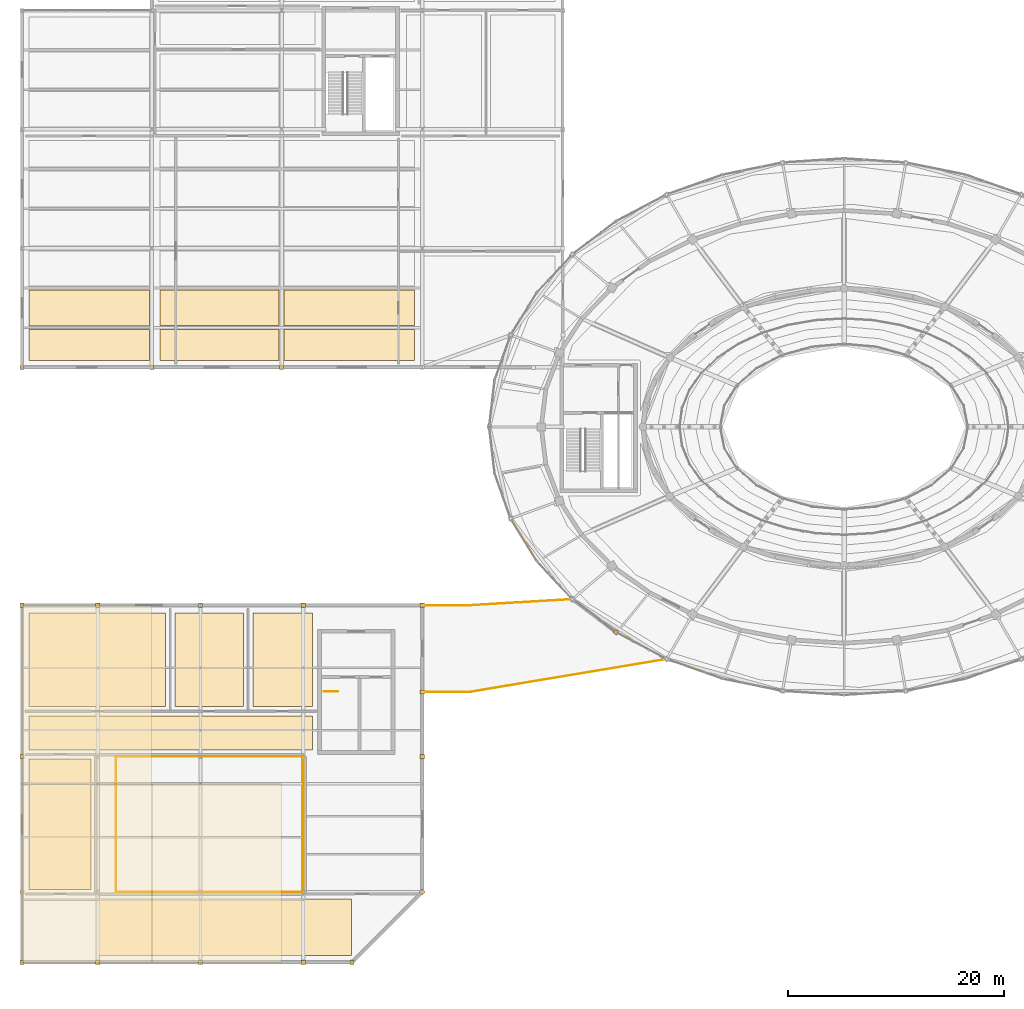
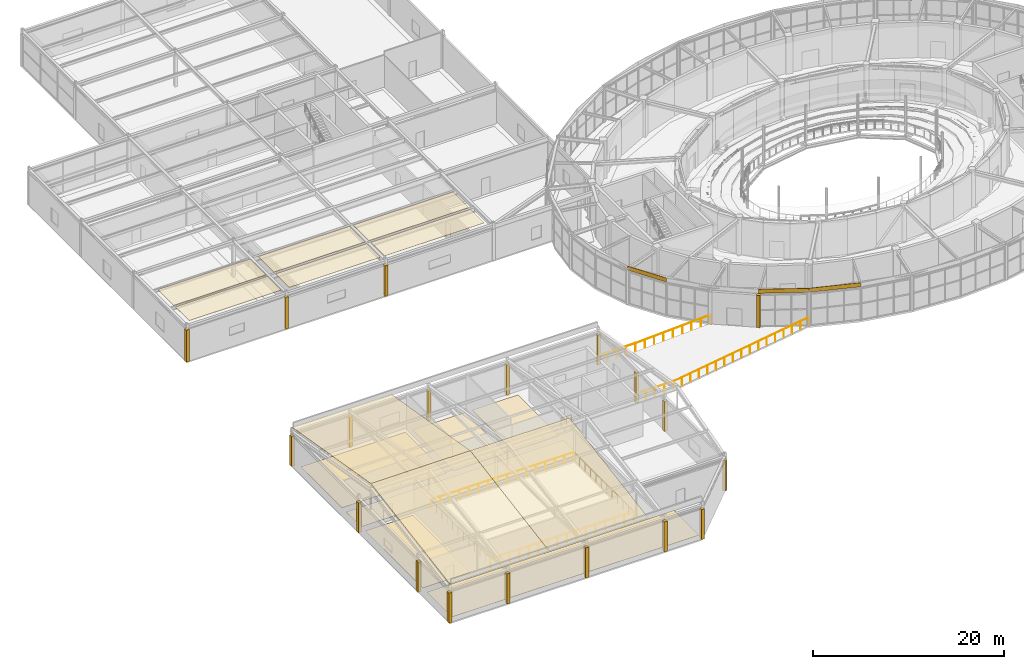
# One storey, part 98 of 108: 37 coverings, 9 railings.
"""IFC4 building model written with IfcOpenShell, lengths in metres."""

from ifc_helpers import new_model, si_unit, direction, frame, frame_2d, origin, origin_2d, place, context, subcontext, project, spatial, polyline, rectangle, circle, outline, extrude, material, layer, layer_set, type_object, element, save


model = new_model("IFC4")

# Units and contexts
model_context = context("Model", 3, precision=1e-05, world=origin(), true_north=direction((0.0, 1.0)))
body_context = subcontext(model_context, "Body", "Model", "MODEL_VIEW")
ifc_project = project(units=[si_unit("LENGTHUNIT", "METRE"), si_unit("AREAUNIT", "SQUARE_METRE"), si_unit("VOLUMEUNIT", "CUBIC_METRE"), si_unit("PLANEANGLEUNIT", "RADIAN"), si_unit("MASSUNIT", "GRAM", prefix="KILO")], contexts=[model_context])

# Site, building, storey
site_placement = place(None, origin())
site = spatial("IfcSite", under=ifc_project, at=site_placement, CompositionType="ELEMENT")
building_placement = place(site_placement, origin())
building = spatial("IfcBuilding", under=site, at=building_placement, Name="Tarnveldt Headland Concert Hall", CompositionType="ELEMENT")
storey_placement = place(building_placement, frame((0.0, 0.0, 9.60009765625)))
storey = spatial("IfcBuildingStorey", under=building, at=storey_placement, Name="L02", CompositionType="ELEMENT", Elevation=9.60009765625)

# Coverings
ifc_material_1 = material(Name="Micro-perforated mvule acoustic ceiling panel", Category="timber")
ifc_layer_1 = layer(ifc_material_1, 0.050048828125, Name="Micro-perforated mvule acoustic ceiling panel", Category="timber")
ifc_layer_set_1 = layer_set([ifc_layer_1], Name="Micro-perforated mvule acoustic ceiling panel")
covering_type_1 = type_object("IfcCoveringType", Name="CV-CEIL50", PredefinedType="CEILING", material=ifc_layer_set_1)
covering_1_placement = place(storey_placement, frame((0.0, 0.0, 4.5)))
element("IfcCovering", 1, at=covering_1_placement, inside=storey, type_object=covering_type_1, Name="Acoustic mvule ceiling L02-20-259", PredefinedType="CEILING", context=body_context, shape_type="SweptSolid", body=[
    extrude(outline(polyline([(31.27001953125, 63.85693359375), (20.22998046875, 63.85693359375), (20.22998046875, 67.14306640625), (31.27001953125, 67.14306640625), (31.27001953125, 63.85693359375)])), origin(), (0.0, 0.0, 1.0), 0.0498046875),
])
covering_2_placement = place(storey_placement, frame((0.0, 0.0, 4.5)))
element("IfcCovering", 2, at=covering_2_placement, inside=storey, type_object=covering_type_1, Name="Acoustic mvule ceiling L02-20-260", PredefinedType="CEILING", context=body_context, shape_type="SweptSolid", body=[
    extrude(outline(polyline([(43.77001953125, 63.85693359375), (31.72998046875, 63.85693359375), (31.72998046875, 67.14306640625), (43.77001953125, 67.14306640625), (43.77001953125, 63.85693359375)])), origin(), (0.0, 0.0, 1.0), 0.0498046875),
])
covering_3_placement = place(storey_placement, frame((0.0, 0.0, 4.5)))
element("IfcCovering", 3, at=covering_3_placement, inside=storey, type_object=covering_type_1, Name="Acoustic mvule ceiling L02-20-261", PredefinedType="CEILING", context=body_context, shape_type="SweptSolid", body=[
    extrude(outline(polyline([(31.72998046875, 60.6298828125), (31.72998046875, 63.47705078125), (43.77001953125, 63.47705078125), (43.77001953125, 60.6298828125), (31.72998046875, 60.6298828125)])), origin(), (0.0, 0.0, 1.0), 0.0498046875),
])
covering_4_placement = place(storey_placement, frame((0.0, 0.0, 4.5)))
element("IfcCovering", 4, at=covering_4_placement, inside=storey, type_object=covering_type_1, Name="Acoustic mvule ceiling L02-20-262", PredefinedType="CEILING", context=body_context, shape_type="SweptSolid", body=[
    extrude(outline(polyline([(20.22998046875, 63.47705078125), (31.27001953125, 63.47705078125), (31.27001953125, 60.6298828125), (20.22998046875, 60.6298828125), (20.22998046875, 63.47705078125)])), origin(), (0.0, 0.0, 1.0), 0.0498046875),
])
ifc_layer_2 = layer(ifc_material_1, 0.06494140625, Name="Micro-perforated mvule acoustic ceiling panel", Category="timber")
ifc_layer_set_2 = layer_set([ifc_layer_2], Name="Micro-perforated mvule acoustic ceiling panel")
covering_type_2 = type_object("IfcCoveringType", Name="CV-CEIL65", PredefinedType="CEILING", material=ifc_layer_set_2)
covering_5_placement = place(storey_placement, frame((0.0, 0.0, 4.48486328125)))
element("IfcCovering", 5, at=covering_5_placement, inside=storey, type_object=covering_type_2, Name="Acoustic mvule ceiling L02-21-272", PredefinedType="CEILING", context=body_context, shape_type="SweptSolid", body=[
    extrude(outline(polyline([(8.1298828125, 60.6298828125), (8.1298828125, 63.501953125), (19.27001953125, 63.501953125), (19.27001953125, 60.6298828125), (8.1298828125, 60.6298828125)])), origin(), (0.0, 0.0, 1.0), 0.06494140625),
])
covering_6_placement = place(storey_placement, frame((0.0, 0.0, 4.48486328125)))
element("IfcCovering", 6, at=covering_6_placement, inside=storey, type_object=covering_type_2, Name="Acoustic mvule ceiling L02-21-273", PredefinedType="CEILING", context=body_context, shape_type="SweptSolid", body=[
    extrude(outline(polyline([(19.27001953125, 67.16796875), (19.27001953125, 63.83203125), (8.1298828125, 63.83203125), (8.1298828125, 67.16796875), (19.27001953125, 67.16796875)])), origin(), (0.0, 0.0, 1.0), 0.06494140625),
])
ifc_material_2 = material(Name="Treated East African mvule hardwood", Category="wood")
ifc_layer_3 = layer(ifc_material_2, 0.044921875, Name="Treated East African mvule hardwood", Category="wood")
ifc_layer_set_3 = layer_set([ifc_layer_3], Name="Treated East African mvule hardwood")
covering_type_3 = type_object("IfcCoveringType", Name="CV-CLAD45", PredefinedType="CLADDING", material=ifc_layer_set_3)
covering_7_placement = place(storey_placement, frame((52.677978515625, 46.017822265625, 4.27001953125), z_axis=(0.0, 0.0, 1.0), x_axis=(0.524979001727, -0.851115178895, 0.0)))
element("IfcCovering", 7, at=covering_7_placement, inside=storey, type_object=covering_type_3, Name="Mvule hardwood fascia band L02-21", PredefinedType="CLADDING", context=body_context, shape_type="SweptSolid", body=[
    extrude(rectangle(XDim=4.60302734375, YDim=0.044921875, at=frame_2d((2.301513671875, 0.0))), origin(), (0.0, 0.0, 1.0), 0.519775390625),
])
covering_8_placement = place(storey_placement, frame((62.41650390625, 35.502197265625, 4.27001953125), z_axis=(0.0, 0.0, 1.0), x_axis=(0.88379239872, -0.467879253617, 0.0)))
element("IfcCovering", 8, at=covering_8_placement, inside=storey, type_object=covering_type_3, Name="Mvule hardwood fascia band L02-24", PredefinedType="CLADDING", context=body_context, shape_type="SweptSolid", body=[
    extrude(rectangle(XDim=5.29931640625, YDim=0.044921875, at=frame_2d((2.649658203125, 0.0))), origin(), (0.0, 0.0, 1.0), 0.519775390625),
])
covering_9_placement = place(storey_placement, frame((67.10009765625, 33.022705078125, 4.27001953125), z_axis=(0.0, 0.0, 1.0), x_axis=(0.943085453999, -0.332550487077, 0.0)))
element("IfcCovering", 9, at=covering_9_placement, inside=storey, type_object=covering_type_3, Name="Mvule hardwood fascia band L02-25", PredefinedType="CLADDING", context=body_context, shape_type="SweptSolid", body=[
    extrude(rectangle(XDim=5.494384765625, YDim=0.044921875, at=frame_2d((2.7470703125, 0.0))), origin(), (0.0, 0.0, 1.0), 0.519775390625),
])
ifc_material_3 = material(Name="Polished coral-aggregate cementitious terrazzo flooring", Category="concrete")
ifc_layer_4 = layer(ifc_material_3, 0.034912109375, Name="Polished coral-aggregate cementitious terrazzo flooring", Category="concrete")
ifc_layer_set_4 = layer_set([ifc_layer_4], Name="Polished coral-aggregate cementitious terrazzo flooring")
covering_type_4 = type_object("IfcCoveringType", Name="CV-FLOR35", PredefinedType="FLOORING", material=ifc_layer_set_4)
covering_10_placement = place(storey_placement, origin())
element("IfcCovering", 10, at=covering_10_placement, inside=storey, type_object=covering_type_4, Name="Architectural flooring L02-13-72", PredefinedType="FLOORING", context=body_context, shape_type="SweptSolid", body=[
    extrude(outline(polyline([(8.1298828125, 10.8701171875), (37.969970703125, 10.8701171875), (37.969970703125, 5.6298828125), (8.1298828125, 5.6298828125), (8.1298828125, 10.8701171875)])), origin(), (0.0, 0.0, 1.0), 0.034912109375),
])
covering_11_placement = place(storey_placement, origin())
element("IfcCovering", 11, at=covering_11_placement, inside=storey, type_object=covering_type_4, Name="Architectural flooring L02-14-73", PredefinedType="FLOORING", context=body_context, shape_type="SweptSolid", body=[
    extrude(outline(polyline([(8.1298828125, 23.77001953125), (13.8701171875, 23.77001953125), (13.8701171875, 11.72998046875), (8.1298828125, 11.72998046875), (8.1298828125, 23.77001953125)])), origin(), (0.0, 0.0, 1.0), 0.034912109375),
])
covering_12_placement = place(storey_placement, origin())
element("IfcCovering", 12, at=covering_12_placement, inside=storey, type_object=covering_type_4, Name="Architectural flooring L02-16-74", PredefinedType="FLOORING", context=body_context, shape_type="SweptSolid", body=[
    extrude(outline(polyline([(8.1298828125, 27.77001953125), (34.3701171875, 27.77001953125), (34.3701171875, 24.6298828125), (8.1298828125, 24.6298828125), (8.1298828125, 27.77001953125)])), origin(), (0.0, 0.0, 1.0), 0.034912109375),
])
covering_13_placement = place(storey_placement, origin())
element("IfcCovering", 13, at=covering_13_placement, inside=storey, type_object=covering_type_4, Name="Architectural flooring L02-17-75", PredefinedType="FLOORING", context=body_context, shape_type="SweptSolid", body=[
    extrude(outline(polyline([(8.1298828125, 37.27001953125), (20.77001953125, 37.27001953125), (20.77001953125, 28.6298828125), (8.1298828125, 28.6298828125), (8.1298828125, 37.27001953125)])), origin(), (0.0, 0.0, 1.0), 0.034912109375),
])
covering_14_placement = place(storey_placement, origin())
element("IfcCovering", 14, at=covering_14_placement, inside=storey, type_object=covering_type_4, Name="Architectural flooring L02-18-76", PredefinedType="FLOORING", context=body_context, shape_type="SweptSolid", body=[
    extrude(outline(polyline([(21.6298828125, 37.27001953125), (27.969970703125, 37.27001953125), (27.969970703125, 28.6298828125), (21.6298828125, 28.6298828125), (21.6298828125, 37.27001953125)])), origin(), (0.0, 0.0, 1.0), 0.034912109375),
])
covering_15_placement = place(storey_placement, origin())
element("IfcCovering", 15, at=covering_15_placement, inside=storey, type_object=covering_type_4, Name="Architectural flooring L02-19-77", PredefinedType="FLOORING", context=body_context, shape_type="SweptSolid", body=[
    extrude(outline(polyline([(28.830078125, 37.27001953125), (34.3701171875, 37.27001953125), (34.3701171875, 28.6298828125), (28.830078125, 28.6298828125), (28.830078125, 37.27001953125)])), origin(), (0.0, 0.0, 1.0), 0.034912109375),
])
ifc_material_4 = material(Name="Coral-toned precast concrete C40/50", Category="concrete")
ifc_layer_5 = layer(ifc_material_4, 0.360107421875, Name="Coral-toned precast concrete C40/50", Category="concrete")
ifc_layer_set_5 = layer_set([ifc_layer_5], Name="Coral-toned precast concrete C40/50")
covering_type_5 = type_object("IfcCoveringType", Name="CV-JNT360", PredefinedType="CLADDING", material=ifc_layer_set_5)
for number, where, z_axis, x_axis, name in (
    (16, (7.5, 5.0, 0.0), (0.0, 0.0, 1.0), (-1.0, 0.0, 0.0), "Precast facade joint closure pilaster L02-247"),
    (17, (7.5, 11.5, 0.0), (0.0, 0.0, 1.0), (0.0, 1.0, 0.0), "Precast facade joint closure pilaster L02-248"),
    (18, (7.5, 24.0, 0.0), (0.0, 0.0, 1.0), (0.0, 1.0, 0.0), "Precast facade joint closure pilaster L02-249"),
    (19, (7.5, 38.0, 0.0), (0.0, 0.0, 1.0), (1.0, 0.0, 0.0), "Precast facade joint closure pilaster L02-250"),
):
    element("IfcCovering", number, at=place(storey_placement, frame(where, z_axis=z_axis, x_axis=x_axis)), inside=storey, type_object=covering_type_5, Name=name, PredefinedType="CLADDING", context=body_context, shape_type="SweptSolid", body=[
        extrude(rectangle(XDim=0.3798828125, YDim=0.3798828125, at=origin_2d()), origin(), (0.0, 0.0, 1.0), 3.847900390625),
    ])
covering_16_placement = place(storey_placement, frame((7.5, 60.0, 0.0), z_axis=(0.0, 0.0, 1.0), x_axis=(-1.0, 0.0, 0.0)))
element("IfcCovering", 20, at=covering_16_placement, inside=storey, type_object=covering_type_5, Name="Precast facade joint closure pilaster L02-251", PredefinedType="CLADDING", context=body_context, shape_type="SweptSolid", body=[
    extrude(rectangle(XDim=0.3798828125, YDim=0.3798828125, at=origin_2d()), origin(), (0.0, 0.0, 1.0), 4.087890625),
])
for number, where, z_axis, x_axis, name in (
    (21, (14.5, 5.0, 0.0), (0.0, 0.0, 1.0), (-1.0, 0.0, 0.0), "Precast facade joint closure pilaster L02-255"),
    (22, (14.5, 38.0, 0.0), (0.0, 0.0, 1.0), (1.0, 0.0, 0.0), "Precast facade joint closure pilaster L02-256"),
):
    element("IfcCovering", number, at=place(storey_placement, frame(where, z_axis=z_axis, x_axis=x_axis)), inside=storey, type_object=covering_type_5, Name=name, PredefinedType="CLADDING", context=body_context, shape_type="SweptSolid", body=[
        extrude(rectangle(XDim=0.3798828125, YDim=0.3798828125, at=origin_2d()), origin(), (0.0, 0.0, 1.0), 3.847900390625),
    ])
covering_17_placement = place(storey_placement, frame((19.5, 60.0, 0.0), z_axis=(0.0, 0.0, 1.0), x_axis=(-1.0, 0.0, 0.0)))
element("IfcCovering", 23, at=covering_17_placement, inside=storey, type_object=covering_type_5, Name="Precast facade joint closure pilaster L02-257", PredefinedType="CLADDING", context=body_context, shape_type="SweptSolid", body=[
    extrude(rectangle(XDim=0.3798828125, YDim=0.3798828125, at=origin_2d()), origin(), (0.0, 0.0, 1.0), 4.087890625),
])
for number, where, z_axis, x_axis, name in (
    (24, (24.0, 5.0, 0.0), (0.0, 0.0, 1.0), (-1.0, 0.0, 0.0), "Precast facade joint closure pilaster L02-261"),
    (25, (24.0, 38.0, 0.0), (0.0, 0.0, 1.0), (1.0, 0.0, 0.0), "Precast facade joint closure pilaster L02-262"),
):
    element("IfcCovering", number, at=place(storey_placement, frame(where, z_axis=z_axis, x_axis=x_axis)), inside=storey, type_object=covering_type_5, Name=name, PredefinedType="CLADDING", context=body_context, shape_type="SweptSolid", body=[
        extrude(rectangle(XDim=0.3798828125, YDim=0.3798828125, at=origin_2d()), origin(), (0.0, 0.0, 1.0), 3.847900390625),
    ])
covering_18_placement = place(storey_placement, frame((31.5, 60.0, 0.0), z_axis=(0.0, 0.0, 1.0), x_axis=(-1.0, 0.0, 0.0)))
element("IfcCovering", 26, at=covering_18_placement, inside=storey, type_object=covering_type_5, Name="Precast facade joint closure pilaster L02-263", PredefinedType="CLADDING", context=body_context, shape_type="SweptSolid", body=[
    extrude(rectangle(XDim=0.3798828125, YDim=0.3798828125, at=origin_2d()), origin(), (0.0, 0.0, 1.0), 3.887939453125),
])
for number, where, z_axis, x_axis, name in (
    (27, (33.5, 5.0, 0.0), (0.0, 0.0, 1.0), (-1.0, 0.0, 0.0), "Precast facade joint closure pilaster L02-265"),
    (28, (33.5, 38.0, 0.0), (0.0, 0.0, 1.0), (1.0, 0.0, 0.0), "Precast facade joint closure pilaster L02-266"),
    (29, (38.0, 5.0, 0.0), (0.0, 0.0, 1.0), (-1.0, 0.0, 0.0), "Precast facade joint closure pilaster L02-267"),
    (30, (44.5, 11.5, 0.0), (0.0, 0.0, 1.0), (-0.707106781187, -0.707106781187, 0.0), "Precast facade joint closure pilaster L02-268"),
    (31, (44.5, 24.0, 0.0), (0.0, 0.0, 1.0), (0.0, -1.0, 0.0), "Precast facade joint closure pilaster L02-269"),
    (32, (44.5, 30.0, 0.0), (0.0, 0.0, 1.0), (0.0, -1.0, 0.0), "Precast facade joint closure pilaster L02-270"),
    (33, (44.5, 38.0, 0.0), (0.0, 0.0, 1.0), (0.0, -1.0, 0.0), "Precast facade joint closure pilaster L02-271"),
):
    element("IfcCovering", number, at=place(storey_placement, frame(where, z_axis=z_axis, x_axis=x_axis)), inside=storey, type_object=covering_type_5, Name=name, PredefinedType="CLADDING", context=body_context, shape_type="SweptSolid", body=[
        extrude(rectangle(XDim=0.3798828125, YDim=0.3798828125, at=origin_2d()), origin(), (0.0, 0.0, 1.0), 3.847900390625),
    ])
covering_19_placement = place(storey_placement, frame((62.41650390625, 35.502197265625, 0.0), z_axis=(0.0, 0.0, 1.0), x_axis=(-0.797689196331, 0.603068773902, 0.0)))
element("IfcCovering", 34, at=covering_19_placement, inside=storey, type_object=covering_type_5, Name="Precast facade joint closure pilaster L02-282", PredefinedType="CLADDING", context=body_context, shape_type="SweptSolid", body=[
    extrude(rectangle(XDim=0.3798828125, YDim=0.3798828125, at=origin_2d()), origin(), (0.0, 0.0, 1.0), 4.10791015625),
])
ifc_material_5 = material(Name="Standing-seam marine aluminium and acoustic roof build-up", Category="aluminium")
ifc_layer_6 = layer(ifc_material_5, 0.080078125, Name="Standing-seam marine aluminium and acoustic roof build-up", Category="aluminium")
ifc_layer_set_6 = layer_set([ifc_layer_6], Name="Standing-seam marine aluminium and acoustic roof build-up")
covering_type_6 = type_object("IfcCoveringType", Name="CV-ROOF80", PredefinedType="ROOFING", material=ifc_layer_set_6)
for number, where, z_axis, x_axis, name in (
    (35, (7.5, 5.0, 4.8798828125), (0.0, -0.167307955046, 0.985904685139), (1.0, 0.0, 0.0), "Standing-seam marine aluminium roof covering 1"),
    (36, (19.5, 5.0, 4.8798828125), (0.0, -0.167307955046, 0.985904685139), (1.0, 0.0, 0.0), "Standing-seam marine aluminium roof covering 2"),
    (37, (7.5, 21.5, 7.679931640625), (0.0, 0.167307955046, 0.985904685139), (1.0, 0.0, 0.0), "Standing-seam marine aluminium roof covering 3"),
):
    element("IfcCovering", number, at=place(storey_placement, frame(where, z_axis=z_axis, x_axis=x_axis)), inside=storey, type_object=covering_type_6, Name=name, PredefinedType="ROOFING", context=body_context, shape_type="SweptSolid", body=[
        extrude(outline(polyline([(0.0, 0.0), (12.0, 0.0), (12.0, 16.73589774825014), (0.0, 16.73589774825014), (0.0, 0.0)])), origin(), (0.0, 0.0, -1.0), 0.080078125),
    ])

# Railings
ifc_material_6 = material(Name="Marine stainless steel", Category="steel")
ifc_layer_7 = layer(ifc_material_6, 0.074951171875, Name="Marine stainless steel", Category="steel")
ifc_layer_set_7 = layer_set([ifc_layer_7], Name="Marine stainless steel")
railing_type_1 = type_object("IfcRailingType", Name="RL-BAL110", PredefinedType="BALUSTRADE", material=ifc_layer_set_7)
railing_1_placement = place(storey_placement, frame((44.5, 30.0, 0.0)))
element("IfcRailing", 38, at=railing_1_placement, inside=storey, type_object=railing_type_1, Name="GUARD Link lookout terrace South-west balustrade", PredefinedType="BALUSTRADE", context=body_context, shape_type="SweptSolid", body=[
    extrude(circle(Radius=0.02392578125, at=origin_2d()), frame((0.0, 0.0, 1.076171875), z_axis=(1.0, 0.0, 0.0), x_axis=(0.0, 1.0, 0.0)), (0.0, 0.0, 1.0), 4.5),
    extrude(circle(Radius=0.02099609375, at=origin_2d()), origin(), (0.0, 0.0, 1.0), 1.052001953125),
    extrude(circle(Radius=0.02099609375, at=origin_2d()), frame((1.125, 0.0, 0.0)), (0.0, 0.0, 1.0), 1.052001953125),
    extrude(circle(Radius=0.02099609375, at=origin_2d()), frame((2.25, 0.0, 0.0)), (0.0, 0.0, 1.0), 1.052001953125),
    extrude(circle(Radius=0.02099609375, at=origin_2d()), frame((3.375, 0.0, 0.0)), (0.0, 0.0, 1.0), 1.052001953125),
    extrude(circle(Radius=0.02099609375, at=origin_2d()), frame((4.5, 0.0, 0.0)), (0.0, 0.0, 1.0), 1.052001953125),
])
railing_2_placement = place(storey_placement, frame((49.0, 30.0, 0.0)))
element("IfcRailing", 39, at=railing_2_placement, inside=storey, type_object=railing_type_1, Name="GUARD Link lookout terrace South-east balustrade", PredefinedType="BALUSTRADE", context=body_context, shape_type="SweptSolid", body=[
    extrude(circle(Radius=0.02392578125, at=origin_2d()), frame((0.0, 0.0, 1.076171875), z_axis=(0.986340655684, 0.16471827751, 0.0), x_axis=(-0.16471827751, 0.986340655684, 0.0)), (0.0, 0.0, 1.0), 18.350830078125),
    extrude(circle(Radius=0.02099609375, at=origin_2d()), origin(), (0.0, 0.0, 1.0), 1.052001953125),
    extrude(circle(Radius=0.02099609375, at=origin_2d()), frame((1.13134765625, 0.18896484375, 0.0)), (0.0, 0.0, 1.0), 1.052001953125),
    extrude(circle(Radius=0.02099609375, at=origin_2d()), frame((2.262451171875, 0.3779296875, 0.0)), (0.0, 0.0, 1.0), 1.052001953125),
    extrude(circle(Radius=0.02099609375, at=origin_2d()), frame((3.393798828125, 0.566650390625, 0.0)), (0.0, 0.0, 1.0), 1.052001953125),
    extrude(circle(Radius=0.02099609375, at=origin_2d()), frame((4.52490234375, 0.755615234375, 0.0)), (0.0, 0.0, 1.0), 1.052001953125),
    extrude(circle(Radius=0.02099609375, at=origin_2d()), frame((5.65625, 0.944580078125, 0.0)), (0.0, 0.0, 1.0), 1.052001953125),
    extrude(circle(Radius=0.02099609375, at=origin_2d()), frame((6.78759765625, 1.133544921875, 0.0)), (0.0, 0.0, 1.0), 1.052001953125),
    extrude(circle(Radius=0.02099609375, at=origin_2d()), frame((7.918701171875, 1.322509765625, 0.0)), (0.0, 0.0, 1.0), 1.052001953125),
    extrude(circle(Radius=0.02099609375, at=origin_2d()), frame((9.050048828125, 1.51123046875, 0.0)), (0.0, 0.0, 1.0), 1.052001953125),
    extrude(circle(Radius=0.02099609375, at=origin_2d()), frame((10.181396484375, 1.7001953125, 0.0)), (0.0, 0.0, 1.0), 1.052001953125),
    extrude(circle(Radius=0.02099609375, at=origin_2d()), frame((11.3125, 1.88916015625, 0.0)), (0.0, 0.0, 1.0), 1.052001953125),
    extrude(circle(Radius=0.02099609375, at=origin_2d()), frame((12.44384765625, 2.078125, 0.0)), (0.0, 0.0, 1.0), 1.052001953125),
    extrude(circle(Radius=0.02099609375, at=origin_2d()), frame((13.5751953125, 2.26708984375, 0.0)), (0.0, 0.0, 1.0), 1.052001953125),
    extrude(circle(Radius=0.02099609375, at=origin_2d()), frame((14.706298828125, 2.4560546875, 0.0)), (0.0, 0.0, 1.0), 1.052001953125),
    extrude(circle(Radius=0.02099609375, at=origin_2d()), frame((15.837646484375, 2.644775390625, 0.0)), (0.0, 0.0, 1.0), 1.052001953125),
    extrude(circle(Radius=0.02099609375, at=origin_2d()), frame((16.96875, 2.833740234375, 0.0)), (0.0, 0.0, 1.0), 1.052001953125),
    extrude(circle(Radius=0.02099609375, at=origin_2d()), frame((18.10009765625, 3.022705078125, 0.0)), (0.0, 0.0, 1.0), 1.052001953125),
])
railing_3_placement = place(storey_placement, frame((44.5, 38.0, 0.0)))
element("IfcRailing", 40, at=railing_3_placement, inside=storey, type_object=railing_type_1, Name="GUARD Link lookout terrace North-west balustrade", PredefinedType="BALUSTRADE", context=body_context, shape_type="SweptSolid", body=[
    extrude(circle(Radius=0.02392578125, at=origin_2d()), frame((0.0, 0.0, 1.076171875), z_axis=(1.0, 0.0, 0.0), x_axis=(0.0, 1.0, 0.0)), (0.0, 0.0, 1.0), 4.5),
    extrude(circle(Radius=0.02099609375, at=origin_2d()), origin(), (0.0, 0.0, 1.0), 1.052001953125),
    extrude(circle(Radius=0.02099609375, at=origin_2d()), frame((1.125, 0.0, 0.0)), (0.0, 0.0, 1.0), 1.052001953125),
    extrude(circle(Radius=0.02099609375, at=origin_2d()), frame((2.25, 0.0, 0.0)), (0.0, 0.0, 1.0), 1.052001953125),
    extrude(circle(Radius=0.02099609375, at=origin_2d()), frame((3.375, 0.0, 0.0)), (0.0, 0.0, 1.0), 1.052001953125),
    extrude(circle(Radius=0.02099609375, at=origin_2d()), frame((4.5, 0.0, 0.0)), (0.0, 0.0, 1.0), 1.052001953125),
])
railing_4_placement = place(storey_placement, frame((49.0, 38.0, 0.0)))
element("IfcRailing", 41, at=railing_4_placement, inside=storey, type_object=railing_type_1, Name="GUARD Link lookout terrace North-east balustrade", PredefinedType="BALUSTRADE", context=body_context, shape_type="SweptSolid", body=[
    extrude(circle(Radius=0.02392578125, at=origin_2d()), frame((0.0, 0.0, 1.076171875), z_axis=(0.998227621597, 0.059511473521, 0.0), x_axis=(-0.059511473521, 0.998227621597, 0.0)), (0.0, 0.0, 1.0), 9.390380859375),
    extrude(circle(Radius=0.02099609375, at=origin_2d()), origin(), (0.0, 0.0, 1.0), 1.052001953125),
    extrude(circle(Radius=0.02099609375, at=origin_2d()), frame((1.171630859375, 0.06982421875, 0.0)), (0.0, 0.0, 1.0), 1.052001953125),
    extrude(circle(Radius=0.02099609375, at=origin_2d()), frame((2.343505859375, 0.1396484375, 0.0)), (0.0, 0.0, 1.0), 1.052001953125),
    extrude(circle(Radius=0.02099609375, at=origin_2d()), frame((3.51513671875, 0.20947265625, 0.0)), (0.0, 0.0, 1.0), 1.052001953125),
    extrude(circle(Radius=0.02099609375, at=origin_2d()), frame((4.68701171875, 0.279296875, 0.0)), (0.0, 0.0, 1.0), 1.052001953125),
    extrude(circle(Radius=0.02099609375, at=origin_2d()), frame((5.858642578125, 0.349365234375, 0.0)), (0.0, 0.0, 1.0), 1.052001953125),
    extrude(circle(Radius=0.02099609375, at=origin_2d()), frame((7.0302734375, 0.419189453125, 0.0)), (0.0, 0.0, 1.0), 1.052001953125),
    extrude(circle(Radius=0.02099609375, at=origin_2d()), frame((8.2021484375, 0.489013671875, 0.0)), (0.0, 0.0, 1.0), 1.052001953125),
    extrude(circle(Radius=0.02099609375, at=origin_2d()), frame((9.373779296875, 0.558837890625, 0.0)), (0.0, 0.0, 1.0), 1.052001953125),
])
ifc_layer_8 = layer(ifc_material_6, 0.06005859375, Name="Marine stainless steel", Category="steel")
ifc_layer_set_8 = layer_set([ifc_layer_8], Name="Marine stainless steel")
railing_type_2 = type_object("IfcRailingType", Name="RL-GRD110", PredefinedType="GUARDRAIL", material=ifc_layer_set_8)
railing_5_placement = place(storey_placement, frame((35.39990234375, 30.0400390625, 0.0)))
element("IfcRailing", 42, at=railing_5_placement, inside=storey, type_object=railing_type_2, Name="GUARD STR-C5-L01 top well edge", PredefinedType="GUARDRAIL", context=body_context, shape_type="SweptSolid", body=[
    extrude(circle(Radius=0.02392578125, at=origin_2d()), frame((0.0, 0.0, 1.076171875), z_axis=(1.0, 0.0, 0.0), x_axis=(0.0, 1.0, 0.0)), (0.0, 0.0, 1.0), 1.2900390625),
    extrude(circle(Radius=0.02099609375, at=origin_2d()), origin(), (0.0, 0.0, 1.0), 1.052001953125),
    extrude(circle(Radius=0.02099609375, at=origin_2d()), frame((0.64501953125, 0.0, 0.0)), (0.0, 0.0, 1.0), 1.052001953125),
    extrude(circle(Radius=0.02099609375, at=origin_2d()), frame((1.2900390625, 0.0, 0.0)), (0.0, 0.0, 1.0), 1.052001953125),
])
railing_6_placement = place(storey_placement, frame((16.199951171875, 11.5, 0.0)))
element("IfcRailing", 43, at=railing_6_placement, inside=storey, type_object=railing_type_2, Name="GUARD Chamber void guardrail L02 1", PredefinedType="GUARDRAIL", context=body_context, shape_type="SweptSolid", body=[
    extrude(circle(Radius=0.02392578125, at=origin_2d()), frame((0.0, 0.0, 1.076171875), z_axis=(1.0, 0.0, 0.0), x_axis=(0.0, 1.0, 0.0)), (0.0, 0.0, 1.0), 17.300048828125),
    extrude(circle(Radius=0.02099609375, at=origin_2d()), origin(), (0.0, 0.0, 1.0), 1.052001953125),
    extrude(circle(Radius=0.02099609375, at=origin_2d()), frame((1.1533203125, 0.0, 0.0)), (0.0, 0.0, 1.0), 1.052001953125),
    extrude(circle(Radius=0.02099609375, at=origin_2d()), frame((2.306640625, 0.0, 0.0)), (0.0, 0.0, 1.0), 1.052001953125),
    extrude(circle(Radius=0.02099609375, at=origin_2d()), frame((3.4599609375, 0.0, 0.0)), (0.0, 0.0, 1.0), 1.052001953125),
    extrude(circle(Radius=0.02099609375, at=origin_2d()), frame((4.61328125, 0.0, 0.0)), (0.0, 0.0, 1.0), 1.052001953125),
    extrude(circle(Radius=0.02099609375, at=origin_2d()), frame((5.7666015625, 0.0, 0.0)), (0.0, 0.0, 1.0), 1.052001953125),
    extrude(circle(Radius=0.02099609375, at=origin_2d()), frame((6.919921875, 0.0, 0.0)), (0.0, 0.0, 1.0), 1.052001953125),
    extrude(circle(Radius=0.02099609375, at=origin_2d()), frame((8.0732421875, 0.0, 0.0)), (0.0, 0.0, 1.0), 1.052001953125),
    extrude(circle(Radius=0.02099609375, at=origin_2d()), frame((9.226806640625, 0.0, 0.0)), (0.0, 0.0, 1.0), 1.052001953125),
    extrude(circle(Radius=0.02099609375, at=origin_2d()), frame((10.380126953125, 0.0, 0.0)), (0.0, 0.0, 1.0), 1.052001953125),
    extrude(circle(Radius=0.02099609375, at=origin_2d()), frame((11.533447265625, 0.0, 0.0)), (0.0, 0.0, 1.0), 1.052001953125),
    extrude(circle(Radius=0.02099609375, at=origin_2d()), frame((12.686767578125, 0.0, 0.0)), (0.0, 0.0, 1.0), 1.052001953125),
    extrude(circle(Radius=0.02099609375, at=origin_2d()), frame((13.840087890625, 0.0, 0.0)), (0.0, 0.0, 1.0), 1.052001953125),
    extrude(circle(Radius=0.02099609375, at=origin_2d()), frame((14.993408203125, 0.0, 0.0)), (0.0, 0.0, 1.0), 1.052001953125),
    extrude(circle(Radius=0.02099609375, at=origin_2d()), frame((16.146728515625, 0.0, 0.0)), (0.0, 0.0, 1.0), 1.052001953125),
    extrude(circle(Radius=0.02099609375, at=origin_2d()), frame((17.300048828125, 0.0, 0.0)), (0.0, 0.0, 1.0), 1.052001953125),
])
railing_7_placement = place(storey_placement, frame((33.5, 11.5, 0.0)))
element("IfcRailing", 44, at=railing_7_placement, inside=storey, type_object=railing_type_2, Name="GUARD Chamber void guardrail L02 2", PredefinedType="GUARDRAIL", context=body_context, shape_type="SweptSolid", body=[
    extrude(circle(Radius=0.02392578125, at=origin_2d()), frame((0.0, 0.0, 1.076171875), z_axis=(0.0, 1.0, 0.0), x_axis=(-1.0, 0.0, 0.0)), (0.0, 0.0, 1.0), 12.5),
    extrude(circle(Radius=0.02099609375, at=origin_2d()), origin(), (0.0, 0.0, 1.0), 1.052001953125),
    extrude(circle(Radius=0.02099609375, at=origin_2d()), frame((0.0, 1.136474609375, 0.0)), (0.0, 0.0, 1.0), 1.052001953125),
    extrude(circle(Radius=0.02099609375, at=origin_2d()), frame((0.0, 2.272705078125, 0.0)), (0.0, 0.0, 1.0), 1.052001953125),
    extrude(circle(Radius=0.02099609375, at=origin_2d()), frame((0.0, 3.4091796875, 0.0)), (0.0, 0.0, 1.0), 1.052001953125),
    extrude(circle(Radius=0.02099609375, at=origin_2d()), frame((0.0, 4.54541015625, 0.0)), (0.0, 0.0, 1.0), 1.052001953125),
    extrude(circle(Radius=0.02099609375, at=origin_2d()), frame((0.0, 5.681884765625, 0.0)), (0.0, 0.0, 1.0), 1.052001953125),
    extrude(circle(Radius=0.02099609375, at=origin_2d()), frame((0.0, 6.818115234375, 0.0)), (0.0, 0.0, 1.0), 1.052001953125),
    extrude(circle(Radius=0.02099609375, at=origin_2d()), frame((0.0, 7.95458984375, 0.0)), (0.0, 0.0, 1.0), 1.052001953125),
    extrude(circle(Radius=0.02099609375, at=origin_2d()), frame((0.0, 9.0908203125, 0.0)), (0.0, 0.0, 1.0), 1.052001953125),
    extrude(circle(Radius=0.02099609375, at=origin_2d()), frame((0.0, 10.227294921875, 0.0)), (0.0, 0.0, 1.0), 1.052001953125),
    extrude(circle(Radius=0.02099609375, at=origin_2d()), frame((0.0, 11.363525390625, 0.0)), (0.0, 0.0, 1.0), 1.052001953125),
    extrude(circle(Radius=0.02099609375, at=origin_2d()), frame((0.0, 12.5, 0.0)), (0.0, 0.0, 1.0), 1.052001953125),
])
railing_8_placement = place(storey_placement, frame((33.5, 24.0, 0.0)))
element("IfcRailing", 45, at=railing_8_placement, inside=storey, type_object=railing_type_2, Name="GUARD Chamber void guardrail L02 3", PredefinedType="GUARDRAIL", context=body_context, shape_type="SweptSolid", body=[
    extrude(circle(Radius=0.02392578125, at=origin_2d()), frame((0.0, 0.0, 1.076171875), z_axis=(-1.0, 0.0, 0.0), x_axis=(0.0, -1.0, 0.0)), (0.0, 0.0, 1.0), 17.300048828125),
    extrude(circle(Radius=0.02099609375, at=origin_2d()), origin(), (0.0, 0.0, 1.0), 1.052001953125),
    extrude(circle(Radius=0.02099609375, at=origin_2d()), frame((-1.1533203125, 0.0, 0.0)), (0.0, 0.0, 1.0), 1.052001953125),
    extrude(circle(Radius=0.02099609375, at=origin_2d()), frame((-2.306640625, 0.0, 0.0)), (0.0, 0.0, 1.0), 1.052001953125),
    extrude(circle(Radius=0.02099609375, at=origin_2d()), frame((-3.4599609375, 0.0, 0.0)), (0.0, 0.0, 1.0), 1.052001953125),
    extrude(circle(Radius=0.02099609375, at=origin_2d()), frame((-4.61328125, 0.0, 0.0)), (0.0, 0.0, 1.0), 1.052001953125),
    extrude(circle(Radius=0.02099609375, at=origin_2d()), frame((-5.7666015625, 0.0, 0.0)), (0.0, 0.0, 1.0), 1.052001953125),
    extrude(circle(Radius=0.02099609375, at=origin_2d()), frame((-6.919921875, 0.0, 0.0)), (0.0, 0.0, 1.0), 1.052001953125),
    extrude(circle(Radius=0.02099609375, at=origin_2d()), frame((-8.0732421875, 0.0, 0.0)), (0.0, 0.0, 1.0), 1.052001953125),
    extrude(circle(Radius=0.02099609375, at=origin_2d()), frame((-9.226806640625, 0.0, 0.0)), (0.0, 0.0, 1.0), 1.052001953125),
    extrude(circle(Radius=0.02099609375, at=origin_2d()), frame((-10.380126953125, 0.0, 0.0)), (0.0, 0.0, 1.0), 1.052001953125),
    extrude(circle(Radius=0.02099609375, at=origin_2d()), frame((-11.533447265625, 0.0, 0.0)), (0.0, 0.0, 1.0), 1.052001953125),
    extrude(circle(Radius=0.02099609375, at=origin_2d()), frame((-12.686767578125, 0.0, 0.0)), (0.0, 0.0, 1.0), 1.052001953125),
    extrude(circle(Radius=0.02099609375, at=origin_2d()), frame((-13.840087890625, 0.0, 0.0)), (0.0, 0.0, 1.0), 1.052001953125),
    extrude(circle(Radius=0.02099609375, at=origin_2d()), frame((-14.993408203125, 0.0, 0.0)), (0.0, 0.0, 1.0), 1.052001953125),
    extrude(circle(Radius=0.02099609375, at=origin_2d()), frame((-16.146728515625, 0.0, 0.0)), (0.0, 0.0, 1.0), 1.052001953125),
    extrude(circle(Radius=0.02099609375, at=origin_2d()), frame((-17.300048828125, 0.0, 0.0)), (0.0, 0.0, 1.0), 1.052001953125),
])
railing_9_placement = place(storey_placement, frame((16.199951171875, 24.0, 0.0)))
element("IfcRailing", 46, at=railing_9_placement, inside=storey, type_object=railing_type_2, Name="GUARD Chamber void guardrail L02 4", PredefinedType="GUARDRAIL", context=body_context, shape_type="SweptSolid", body=[
    extrude(circle(Radius=0.02392578125, at=origin_2d()), frame((0.0, 0.0, 1.076171875), z_axis=(0.0, -1.0, 0.0), x_axis=(1.0, 0.0, 0.0)), (0.0, 0.0, 1.0), 12.5),
    extrude(circle(Radius=0.02099609375, at=origin_2d()), origin(), (0.0, 0.0, 1.0), 1.052001953125),
    extrude(circle(Radius=0.02099609375, at=origin_2d()), frame((0.0, -1.136474609375, 0.0)), (0.0, 0.0, 1.0), 1.052001953125),
    extrude(circle(Radius=0.02099609375, at=origin_2d()), frame((0.0, -2.272705078125, 0.0)), (0.0, 0.0, 1.0), 1.052001953125),
    extrude(circle(Radius=0.02099609375, at=origin_2d()), frame((0.0, -3.4091796875, 0.0)), (0.0, 0.0, 1.0), 1.052001953125),
    extrude(circle(Radius=0.02099609375, at=origin_2d()), frame((0.0, -4.54541015625, 0.0)), (0.0, 0.0, 1.0), 1.052001953125),
    extrude(circle(Radius=0.02099609375, at=origin_2d()), frame((0.0, -5.681884765625, 0.0)), (0.0, 0.0, 1.0), 1.052001953125),
    extrude(circle(Radius=0.02099609375, at=origin_2d()), frame((0.0, -6.818115234375, 0.0)), (0.0, 0.0, 1.0), 1.052001953125),
    extrude(circle(Radius=0.02099609375, at=origin_2d()), frame((0.0, -7.95458984375, 0.0)), (0.0, 0.0, 1.0), 1.052001953125),
    extrude(circle(Radius=0.02099609375, at=origin_2d()), frame((0.0, -9.0908203125, 0.0)), (0.0, 0.0, 1.0), 1.052001953125),
    extrude(circle(Radius=0.02099609375, at=origin_2d()), frame((0.0, -10.227294921875, 0.0)), (0.0, 0.0, 1.0), 1.052001953125),
    extrude(circle(Radius=0.02099609375, at=origin_2d()), frame((0.0, -11.363525390625, 0.0)), (0.0, 0.0, 1.0), 1.052001953125),
    extrude(circle(Radius=0.02099609375, at=origin_2d()), frame((0.0, -12.5, 0.0)), (0.0, 0.0, 1.0), 1.052001953125),
])

save(model, "model.ifc")
